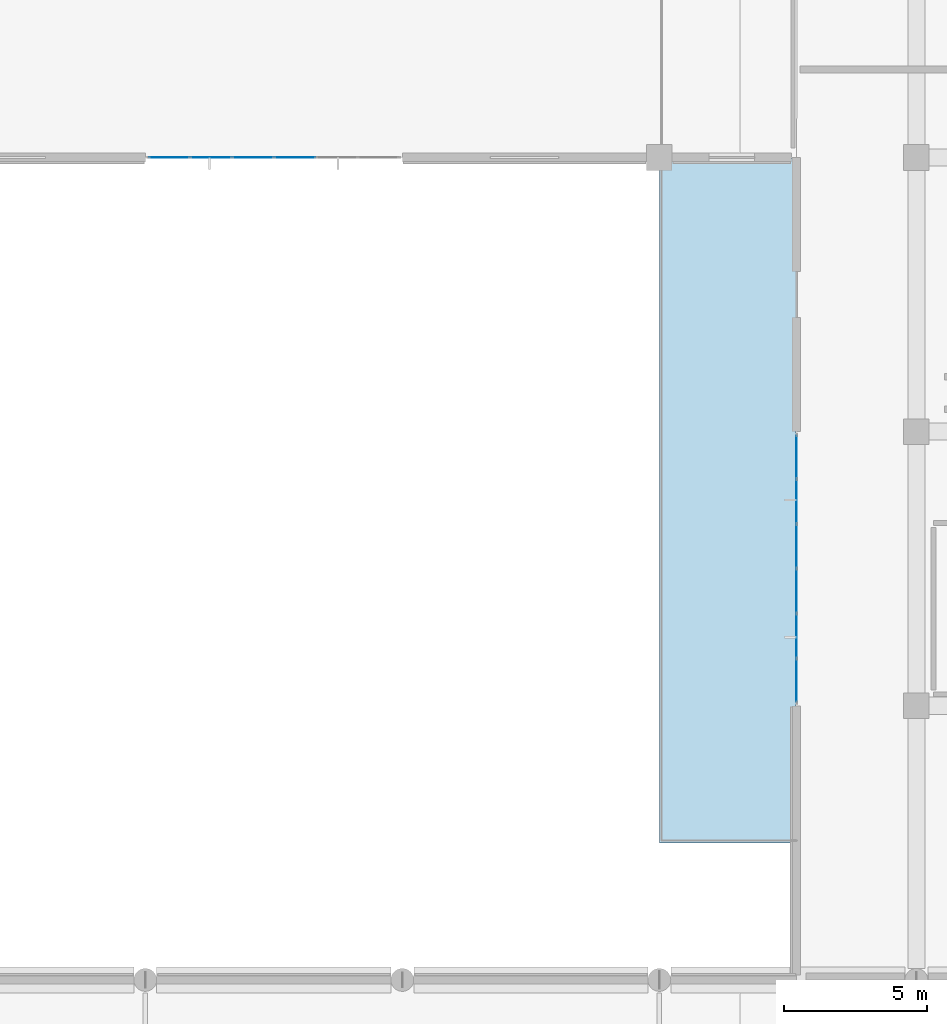
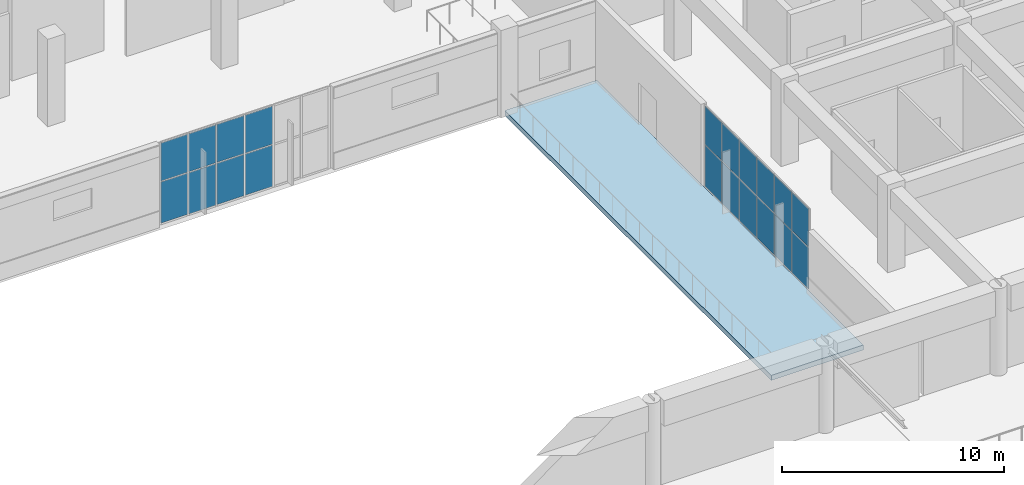
# One storey, part 52 of 96: 20 plates, 1 slab, 2 elements without a shape of their own.
"""IFC4 building model written with IfcOpenShell, lengths in metres."""

from ifc_helpers import new_model, si_unit, direction, frame, origin, origin_2d, place, context, subcontext, project, spatial, polyline, rectangle, outline, extrude, material, layer, layer_set, type_object, element, aggregate, save


model = new_model("IFC4")

# Units and contexts
model_context = context("Model", 3, precision=1e-05, world=origin(), true_north=direction((0.0, 1.0)))
body_context = subcontext(model_context, "Body", "Model", "MODEL_VIEW")
ifc_project = project(units=[si_unit("LENGTHUNIT", "METRE"), si_unit("AREAUNIT", "SQUARE_METRE"), si_unit("VOLUMEUNIT", "CUBIC_METRE"), si_unit("PLANEANGLEUNIT", "RADIAN"), si_unit("MASSUNIT", "GRAM", prefix="KILO")], contexts=[model_context])

# Site, building, storey
site_placement = place(None, origin())
site = spatial("IfcSite", under=ifc_project, at=site_placement, CompositionType="ELEMENT")
building_placement = place(site_placement, origin())
building = spatial("IfcBuilding", under=site, at=building_placement, Name="Cendralis Terraced Arcade", CompositionType="ELEMENT")
storey_placement = place(building_placement, frame((0.0, 0.0, 10.199951171875)))
storey = spatial("IfcBuildingStorey", under=building, at=storey_placement, Name="L02", CompositionType="ELEMENT", Elevation=10.199951171875)

# Curtain wall, plates
ifc_material_1 = material(Name="Anodised aluminium EN AW-6063 T6", Category="aluminium")
ifc_layer_1 = layer(ifc_material_1, 0.1201171875, Name="CW-STORE-B")
ifc_layer_set_1 = layer_set([ifc_layer_1], Name="Anodised aluminium EN AW-6063 T6")
curtain_wall_type = type_object("IfcCurtainWallType", Name="CW-STORE-B", PredefinedType="USERDEFINED", material=ifc_layer_set_1)
curtain_wall_1_placement = place(storey_placement, origin())
curtain_wall_1 = element("IfcCurtainWall", 1, at=curtain_wall_1_placement, inside=storey, type_object=curtain_wall_type, Name="Exterior Storefront Glazing CW-L02-0113", ObjectType="STOREFRONT GLAZING", PredefinedType="USERDEFINED")
ifc_material_2 = material(Name="Tempered solar control laminated glass", Category="glass")
ifc_layer_2 = layer(ifc_material_2, 0.02392578125, Name="CW-STORE-B-PNL")
ifc_layer_set_2 = layer_set([ifc_layer_2], Name="Tempered solar control laminated glass")
plate_type = type_object("IfcPlateType", Name="CW-STORE-B-PNL", PredefinedType="CURTAIN_PANEL", material=ifc_layer_set_2)
plate_1_placement = place(storey_placement, frame((126.0, 70.48876953125, 0.05517578125), z_axis=(0.0, 0.0, 1.0), x_axis=(0.0, 1.0, 0.0)))
plate_1 = element("IfcPlate", 2, at=plate_1_placement, type_object=plate_type, Name="CW-S2 panel 1.1", PredefinedType="CURTAIN_PANEL", context=body_context, shape_type="SweptSolid", body=[
    extrude(rectangle(XDim=1.487548828125, YDim=0.02392578125, at=origin_2d()), origin(), (0.0, 0.0, 1.0), 2.265380859375),
])
plate_2_placement = place(storey_placement, frame((126.0, 70.48876953125, 2.37548828125), z_axis=(0.0, 0.0, 1.0), x_axis=(0.0, 1.0, 0.0)))
plate_2 = element("IfcPlate", 3, at=plate_2_placement, type_object=plate_type, Name="CW-S2 panel 1.2", PredefinedType="CURTAIN_PANEL", context=body_context, shape_type="SweptSolid", body=[
    extrude(rectangle(XDim=1.487548828125, YDim=0.02392578125, at=origin_2d()), origin(), (0.0, 0.0, 1.0), 2.084716796875),
])
plate_3_placement = place(storey_placement, frame((126.0, 72.044921875, 0.05517578125), z_axis=(0.0, 0.0, 1.0), x_axis=(0.0, 1.0, 0.0)))
plate_3 = element("IfcPlate", 4, at=plate_3_placement, type_object=plate_type, Name="CW-S2 panel 2.1", PredefinedType="CURTAIN_PANEL", context=body_context, shape_type="SweptSolid", body=[
    extrude(rectangle(XDim=1.514892578125, YDim=0.02392578125, at=origin_2d()), origin(), (0.0, 0.0, 1.0), 2.265380859375),
])
plate_4_placement = place(storey_placement, frame((126.0, 72.044921875, 2.37548828125), z_axis=(0.0, 0.0, 1.0), x_axis=(0.0, 1.0, 0.0)))
plate_4 = element("IfcPlate", 5, at=plate_4_placement, type_object=plate_type, Name="CW-S2 panel 2.2", PredefinedType="CURTAIN_PANEL", context=body_context, shape_type="SweptSolid", body=[
    extrude(rectangle(XDim=1.514892578125, YDim=0.02392578125, at=origin_2d()), origin(), (0.0, 0.0, 1.0), 2.084716796875),
])
plate_5_placement = place(storey_placement, frame((126.0, 73.614990234375, 0.05517578125), z_axis=(0.0, 0.0, 1.0), x_axis=(0.0, 1.0, 0.0)))
plate_5 = element("IfcPlate", 6, at=plate_5_placement, type_object=plate_type, Name="CW-S2 panel 3.1", PredefinedType="CURTAIN_PANEL", context=body_context, shape_type="SweptSolid", body=[
    extrude(rectangle(XDim=1.514892578125, YDim=0.02392578125, at=origin_2d()), origin(), (0.0, 0.0, 1.0), 2.265380859375),
])
plate_6_placement = place(storey_placement, frame((126.0, 73.614990234375, 2.37548828125), z_axis=(0.0, 0.0, 1.0), x_axis=(0.0, 1.0, 0.0)))
plate_6 = element("IfcPlate", 7, at=plate_6_placement, type_object=plate_type, Name="CW-S2 panel 3.2", PredefinedType="CURTAIN_PANEL", context=body_context, shape_type="SweptSolid", body=[
    extrude(rectangle(XDim=1.514892578125, YDim=0.02392578125, at=origin_2d()), origin(), (0.0, 0.0, 1.0), 2.084716796875),
])
plate_7_placement = place(storey_placement, frame((126.0, 75.18505859375, 0.05517578125), z_axis=(0.0, 0.0, 1.0), x_axis=(0.0, 1.0, 0.0)))
plate_7 = element("IfcPlate", 8, at=plate_7_placement, type_object=plate_type, Name="CW-S2 panel 4.1", PredefinedType="CURTAIN_PANEL", context=body_context, shape_type="SweptSolid", body=[
    extrude(rectangle(XDim=1.514892578125, YDim=0.02392578125, at=origin_2d()), origin(), (0.0, 0.0, 1.0), 2.265380859375),
])
plate_8_placement = place(storey_placement, frame((126.0, 75.18505859375, 2.37548828125), z_axis=(0.0, 0.0, 1.0), x_axis=(0.0, 1.0, 0.0)))
plate_8 = element("IfcPlate", 9, at=plate_8_placement, type_object=plate_type, Name="CW-S2 panel 4.2", PredefinedType="CURTAIN_PANEL", context=body_context, shape_type="SweptSolid", body=[
    extrude(rectangle(XDim=1.514892578125, YDim=0.02392578125, at=origin_2d()), origin(), (0.0, 0.0, 1.0), 2.084716796875),
])
plate_9_placement = place(storey_placement, frame((126.0, 76.7548828125, 0.05517578125), z_axis=(0.0, 0.0, 1.0), x_axis=(0.0, 1.0, 0.0)))
plate_9 = element("IfcPlate", 10, at=plate_9_placement, type_object=plate_type, Name="CW-S2 panel 5.1", PredefinedType="CURTAIN_PANEL", context=body_context, shape_type="SweptSolid", body=[
    extrude(rectangle(XDim=1.514892578125, YDim=0.02392578125, at=origin_2d()), origin(), (0.0, 0.0, 1.0), 2.265380859375),
])
plate_10_placement = place(storey_placement, frame((126.0, 76.7548828125, 2.37548828125), z_axis=(0.0, 0.0, 1.0), x_axis=(0.0, 1.0, 0.0)))
plate_10 = element("IfcPlate", 11, at=plate_10_placement, type_object=plate_type, Name="CW-S2 panel 5.2", PredefinedType="CURTAIN_PANEL", context=body_context, shape_type="SweptSolid", body=[
    extrude(rectangle(XDim=1.514892578125, YDim=0.02392578125, at=origin_2d()), origin(), (0.0, 0.0, 1.0), 2.084716796875),
])
plate_11_placement = place(storey_placement, frame((126.0, 78.311279296875, 0.05517578125), z_axis=(0.0, 0.0, 1.0), x_axis=(0.0, 1.0, 0.0)))
plate_11 = element("IfcPlate", 12, at=plate_11_placement, type_object=plate_type, Name="CW-S2 panel 6.1", PredefinedType="CURTAIN_PANEL", context=body_context, shape_type="SweptSolid", body=[
    extrude(rectangle(XDim=1.487548828125, YDim=0.02392578125, at=origin_2d()), origin(), (0.0, 0.0, 1.0), 2.265380859375),
])
plate_12_placement = place(storey_placement, frame((126.0, 78.311279296875, 2.37548828125), z_axis=(0.0, 0.0, 1.0), x_axis=(0.0, 1.0, 0.0)))
plate_12 = element("IfcPlate", 13, at=plate_12_placement, type_object=plate_type, Name="CW-S2 panel 6.2", PredefinedType="CURTAIN_PANEL", context=body_context, shape_type="SweptSolid", body=[
    extrude(rectangle(XDim=1.487548828125, YDim=0.02392578125, at=origin_2d()), origin(), (0.0, 0.0, 1.0), 2.084716796875),
])
aggregate(curtain_wall_1, [plate_1, plate_2, plate_3, plate_4, plate_5, plate_6, plate_7, plate_8, plate_9, plate_10, plate_11, plate_12])

curtain_wall_2_placement = place(storey_placement, origin())
curtain_wall_2 = element("IfcCurtainWall", 14, at=curtain_wall_2_placement, inside=storey, type_object=curtain_wall_type, Name="Exterior Storefront Glazing CW-L02-0114", ObjectType="STOREFRONT GLAZING", PredefinedType="USERDEFINED")
plate_13_placement = place(storey_placement, frame((108.43505859375, 88.800048828125, 0.05517578125), z_axis=(0.0, 0.0, 1.0), x_axis=(-1.0, 0.0, 0.0)))
plate_13 = element("IfcPlate", 15, at=plate_13_placement, type_object=plate_type, Name="CW-S2 panel 3.1", PredefinedType="CURTAIN_PANEL", context=body_context, shape_type="SweptSolid", body=[
    extrude(rectangle(XDim=1.4150390625, YDim=0.02392578125, at=origin_2d()), origin(), (0.0, 0.0, 1.0), 2.265380859375),
])
plate_14_placement = place(storey_placement, frame((108.43505859375, 88.800048828125, 2.37548828125), z_axis=(0.0, 0.0, 1.0), x_axis=(-1.0, 0.0, 0.0)))
plate_14 = element("IfcPlate", 16, at=plate_14_placement, type_object=plate_type, Name="CW-S2 panel 3.2", PredefinedType="CURTAIN_PANEL", context=body_context, shape_type="SweptSolid", body=[
    extrude(rectangle(XDim=1.4150390625, YDim=0.02392578125, at=origin_2d()), origin(), (0.0, 0.0, 1.0), 2.084716796875),
])
plate_15_placement = place(storey_placement, frame((106.965087890625, 88.800048828125, 0.05517578125), z_axis=(0.0, 0.0, 1.0), x_axis=(-1.0, 0.0, 0.0)))
plate_15 = element("IfcPlate", 17, at=plate_15_placement, type_object=plate_type, Name="CW-S2 panel 4.1", PredefinedType="CURTAIN_PANEL", context=body_context, shape_type="SweptSolid", body=[
    extrude(rectangle(XDim=1.4150390625, YDim=0.02392578125, at=origin_2d()), origin(), (0.0, 0.0, 1.0), 2.265380859375),
])
plate_16_placement = place(storey_placement, frame((106.965087890625, 88.800048828125, 2.37548828125), z_axis=(0.0, 0.0, 1.0), x_axis=(-1.0, 0.0, 0.0)))
plate_16 = element("IfcPlate", 18, at=plate_16_placement, type_object=plate_type, Name="CW-S2 panel 4.2", PredefinedType="CURTAIN_PANEL", context=body_context, shape_type="SweptSolid", body=[
    extrude(rectangle(XDim=1.4150390625, YDim=0.02392578125, at=origin_2d()), origin(), (0.0, 0.0, 1.0), 2.084716796875),
])
plate_17_placement = place(storey_placement, frame((105.4951171875, 88.800048828125, 0.05517578125), z_axis=(0.0, 0.0, 1.0), x_axis=(-1.0, 0.0, 0.0)))
plate_17 = element("IfcPlate", 19, at=plate_17_placement, type_object=plate_type, Name="CW-S2 panel 5.1", PredefinedType="CURTAIN_PANEL", context=body_context, shape_type="SweptSolid", body=[
    extrude(rectangle(XDim=1.4150390625, YDim=0.02392578125, at=origin_2d()), origin(), (0.0, 0.0, 1.0), 2.265380859375),
])
plate_18_placement = place(storey_placement, frame((105.4951171875, 88.800048828125, 2.37548828125), z_axis=(0.0, 0.0, 1.0), x_axis=(-1.0, 0.0, 0.0)))
plate_18 = element("IfcPlate", 20, at=plate_18_placement, type_object=plate_type, Name="CW-S2 panel 5.2", PredefinedType="CURTAIN_PANEL", context=body_context, shape_type="SweptSolid", body=[
    extrude(rectangle(XDim=1.4150390625, YDim=0.02392578125, at=origin_2d()), origin(), (0.0, 0.0, 1.0), 2.084716796875),
])
plate_19_placement = place(storey_placement, frame((104.038818359375, 88.800048828125, 0.05517578125), z_axis=(0.0, 0.0, 1.0), x_axis=(-1.0, 0.0, 0.0)))
plate_19 = element("IfcPlate", 21, at=plate_19_placement, type_object=plate_type, Name="CW-S2 panel 6.1", PredefinedType="CURTAIN_PANEL", context=body_context, shape_type="SweptSolid", body=[
    extrude(rectangle(XDim=1.387451171875, YDim=0.02392578125, at=origin_2d()), origin(), (0.0, 0.0, 1.0), 2.265380859375),
])
plate_20_placement = place(storey_placement, frame((104.038818359375, 88.800048828125, 2.37548828125), z_axis=(0.0, 0.0, 1.0), x_axis=(-1.0, 0.0, 0.0)))
plate_20 = element("IfcPlate", 22, at=plate_20_placement, type_object=plate_type, Name="CW-S2 panel 6.2", PredefinedType="CURTAIN_PANEL", context=body_context, shape_type="SweptSolid", body=[
    extrude(rectangle(XDim=1.387451171875, YDim=0.02392578125, at=origin_2d()), origin(), (0.0, 0.0, 1.0), 2.084716796875),
])
aggregate(curtain_wall_2, [plate_13, plate_14, plate_15, plate_16, plate_17, plate_18, plate_19, plate_20])

# Slab
ifc_material_3 = material(Name="Concrete f'c 35 MPa", Category="concrete")
ifc_layer_3 = layer(ifc_material_3, 0.27490234375, Name="SLB-TER-235")
ifc_layer_set_3 = layer_set([ifc_layer_3], Name="Concrete f'c 35 MPa")
slab_type = type_object("IfcSlabType", Name="SLB-TER-235", PredefinedType="FLOOR", material=ifc_layer_set_3)
slab_placement = place(storey_placement, frame((0.0, 0.0, -0.27490234375)))
element("IfcSlab", 23, at=slab_placement, inside=storey, type_object=slab_type, Name="Planted Stone Terrace Ledge L02 East Court", PredefinedType="FLOOR", context=body_context, shape_type="SweptSolid", body=[
    extrude(outline(polyline([(121.199951171875, 64.800048828125), (121.199951171875, 88.780029296875), (125.97998046875, 88.780029296875), (125.97998046875, 64.800048828125), (121.199951171875, 64.800048828125)])), origin(), (0.0, 0.0, 1.0), 0.27490234375),
])

save(model, "model.ifc")
